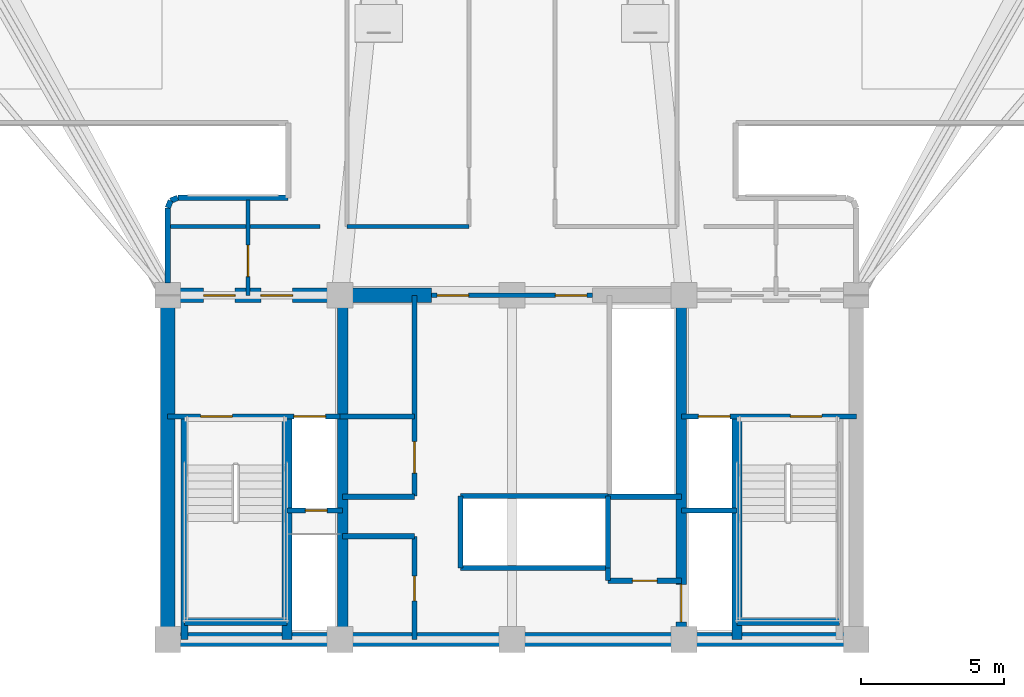
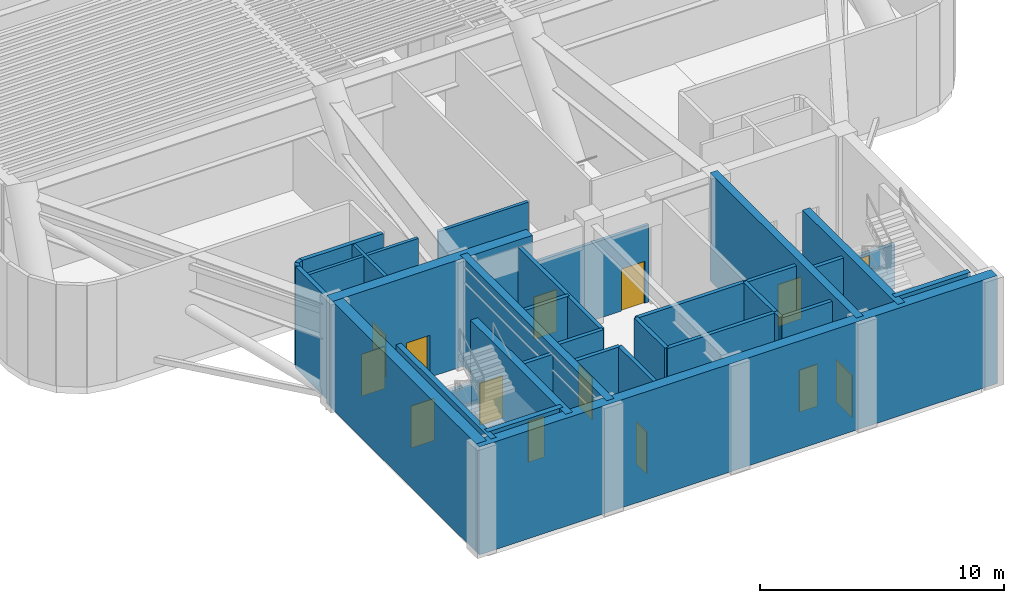
# One storey, part 4 of 10: 34 walls, 14 doors, 14 openings.
"""IFC4 building model written with IfcOpenShell, lengths in metres."""

from ifc_helpers import new_model, si_unit, direction, frame, frame_2d, origin, origin_2d, place, context, subcontext, project, spatial, rectangle, extrude, source, transform, mapped, material, layer, layer_set, type_object, element, fill, save


model = new_model("IFC4")

# Units and contexts
model_context = context("Model", 3, precision=1e-05, world=origin(), true_north=direction((0.0, 1.0)))
body_context = subcontext(model_context, "Body", "Model", "MODEL_VIEW")
ifc_project = project(units=[si_unit("LENGTHUNIT", "METRE"), si_unit("AREAUNIT", "SQUARE_METRE"), si_unit("VOLUMEUNIT", "CUBIC_METRE"), si_unit("PLANEANGLEUNIT", "RADIAN"), si_unit("MASSUNIT", "GRAM", prefix="KILO")], contexts=[model_context])

# Site, building, storey
site_placement = place(None, origin())
site = spatial("IfcSite", under=ifc_project, at=site_placement, CompositionType="ELEMENT")
building_placement = place(site_placement, origin())
building = spatial("IfcBuilding", under=site, at=building_placement, Name="Brelvock Crest Care Tower", CompositionType="ELEMENT")
storey_placement = place(building_placement, frame((0.0, 0.0, 146.52001953125)))
storey = spatial("IfcBuildingStorey", under=building, at=storey_placement, Name="L37", CompositionType="ELEMENT", Elevation=146.52001953125)

# Walls
ifc_material_1 = material(Name="Concrete S80 (80 MPa)", Category="concrete")
ifc_layer_1 = layer(ifc_material_1, 0.5, Name="WL-CS2")
ifc_layer_set_1 = layer_set([ifc_layer_1], Name="Concrete S80 (80 MPa)")
wall_type_1 = type_object("IfcWallType", Name="WL-CS2", PredefinedType="SHEAR", material=ifc_layer_set_1)
wall_1_placement = place(storey_placement, frame((48.25, 6.0, 0.0), z_axis=(0.0, 0.0, 1.0), x_axis=(-1.0, 0.0, 0.0)))
element("IfcWall", 1, at=wall_1_placement, inside=storey, type_object=wall_type_1, Name="L37 Core South Shear Wall", PredefinedType="SHEAR", context=body_context, shape_type="SweptSolid", body=[
    extrude(rectangle(XDim=24.5, YDim=0.5, at=frame_2d((12.25, 0.0))), origin(), (0.0, 0.0, 1.0), 5.39990234375),
])
wall_2_placement = place(storey_placement, frame((24.0, 6.0, 0.0), z_axis=(0.0, 0.0, 1.0), x_axis=(0.0, 1.0, 0.0)))
element("IfcWall", 2, at=wall_2_placement, inside=storey, type_object=wall_type_1, Name="L37 Core West Shear Wall", PredefinedType="SHEAR", context=body_context, shape_type="SweptSolid", body=[
    extrude(rectangle(XDim=12.0, YDim=0.5, at=frame_2d((6.0, 0.0))), origin(), (0.0, 0.0, 1.0), 5.39990234375),
])

# Wall, openings, doors
wall_3_placement = place(storey_placement, frame((23.75, 18.0, 0.0), z_axis=(0.0, 0.0, 1.0), x_axis=(1.0, 0.0, 0.0)))
wall_3 = element("IfcWall", 3, at=wall_3_placement, inside=storey, type_object=wall_type_1, Name="L37 Core North-West Shear Wall", PredefinedType="SHEAR", context=body_context, shape_type="SweptSolid", body=[
    extrude(rectangle(XDim=9.449951171875, YDim=0.5, at=frame_2d((4.72509765625, 0.0))), origin(), (0.0, 0.0, 1.0), 5.39990234375),
])
opening_1_placement = place(wall_3_placement, frame((1.5, 0.0, 0.0)))
opening_1 = element("IfcOpeningElement", 4, at=opening_1_placement, cuts=wall_3, Name="Opening FD-1", PredefinedType="OPENING", context=body_context, shape_type="SweptSolid", body=[
    extrude(rectangle(XDim=1.10009765625, YDim=2.10009765625, at=origin_2d()), frame((0.550048828125, 0.260009765625, 1.050048828125), z_axis=(0.0, -1.0, 0.0), x_axis=(1.0, 0.0, 0.0)), (0.0, 0.0, 1.0), 0.52001953125),
])
opening_2_placement = place(wall_3_placement, frame((3.5, 0.0, 0.0)))
opening_2 = element("IfcOpeningElement", 5, at=opening_2_placement, cuts=wall_3, Name="Opening FD-1", PredefinedType="OPENING", context=body_context, shape_type="SweptSolid", body=[
    extrude(rectangle(XDim=1.10009765625, YDim=2.10009765625, at=origin_2d()), frame((0.550048828125, 0.260009765625, 1.050048828125), z_axis=(0.0, -1.0, 0.0), x_axis=(1.0, 0.0, 0.0)), (0.0, 0.0, 1.0), 0.52001953125),
])
ifc_material_2 = material(Name="Steel Grade 350", Category="steel")
door_type_1 = type_object("IfcDoorType", Name="DR-FFL1", OperationType="NOTDEFINED", PredefinedType="DOOR", material=ifc_material_2)
shared_shape_1 = source(origin(), body_context, "Body", "SweptSolid", [
    extrude(rectangle(XDim=1.10009765625, YDim=2.10009765625, at=origin_2d()), frame((0.550048828125, 0.02490234375, 1.050048828125), z_axis=(0.0, -1.0, 0.0), x_axis=(1.0, 0.0, 0.0)), (0.0, 0.0, 1.0), 0.050048828125),
])
door_1_placement = place(opening_1_placement, origin())
door_1 = element("IfcDoor", 6, at=door_1_placement, inside=storey, type_object=door_type_1, Name="L37 Firefighting Lobby FFL-1 Refuge Door", OperationType="SINGLE_SWING_LEFT", OverallHeight=2.10009765625, OverallWidth=1.10009765625, PredefinedType="DOOR", context=body_context, shape_type="MappedRepresentation", body=[
    mapped(shared_shape_1, transform((0.0, 0.0, 0.0), x_axis=(1.0, 0.0, 0.0), y_axis=(0.0, 1.0, 0.0), z_axis=(0.0, 0.0, 1.0), scale=1.0)),
])
fill(opening_1, door_1)
door_2_placement = place(opening_2_placement, origin())
door_2 = element("IfcDoor", 7, at=door_2_placement, inside=storey, type_object=door_type_1, Name="L37 Firefighting Lobby FFL-1 Corridor Exit Door", OperationType="SINGLE_SWING_RIGHT", OverallHeight=2.10009765625, OverallWidth=1.10009765625, PredefinedType="DOOR", context=body_context, shape_type="MappedRepresentation", body=[
    mapped(shared_shape_1, transform((0.0, 0.0, 0.0), x_axis=(1.0, 0.0, 0.0), y_axis=(0.0, 1.0, 0.0), z_axis=(0.0, 0.0, 1.0), scale=1.0)),
])
fill(opening_2, door_2)

# Wall
ifc_layer_2 = layer(ifc_material_1, 0.35009765625, Name="WL-CS5")
ifc_layer_set_2 = layer_set([ifc_layer_2], Name="Concrete S80 (80 MPa)")
wall_type_2 = type_object("IfcWallType", Name="WL-CS5", PredefinedType="SHEAR", material=ifc_layer_set_2)
wall_4_placement = place(storey_placement, frame((30.10009765625, 6.0, 0.0), z_axis=(0.0, 0.0, 1.0), x_axis=(0.0, 1.0, 0.0)))
element("IfcWall", 8, at=wall_4_placement, inside=storey, type_object=wall_type_2, Name="L37 Core Internal Web Wall West", PredefinedType="SHEAR", context=body_context, shape_type="SweptSolid", body=[
    extrude(rectangle(XDim=12.0, YDim=0.35009765625, at=frame_2d((6.0, 0.0))), origin(), (0.0, 0.0, 1.0), 5.39990234375),
])

# Wall, opening, door
wall_5_placement = place(storey_placement, frame((41.89990234375, 18.0, 0.0), z_axis=(0.0, 0.0, 1.0), x_axis=(0.0, -1.0, 0.0)))
wall_5 = element("IfcWall", 9, at=wall_5_placement, inside=storey, type_object=wall_type_2, Name="L37 Core Internal Web Wall East", PredefinedType="SHEAR", context=body_context, shape_type="SweptSolid", body=[
    extrude(rectangle(XDim=12.0, YDim=0.35009765625, at=frame_2d((6.0, 0.0))), origin(), (0.0, 0.0, 1.0), 5.39990234375),
])
opening_3_placement = place(wall_5_placement, frame((10.080078125, 0.0, 0.0)))
opening_3 = element("IfcOpeningElement", 10, at=opening_3_placement, cuts=wall_5, Name="Opening LD-S", PredefinedType="OPENING", context=body_context, shape_type="SweptSolid", body=[
    extrude(rectangle(XDim=1.300048828125, YDim=2.10009765625, at=origin_2d()), frame((0.64990234375, 0.18505859375, 1.050048828125), z_axis=(0.0, -1.0, 0.0), x_axis=(1.0, 0.0, 0.0)), (0.0, 0.0, 1.0), 0.3701171875),
])
door_type_2 = type_object("IfcDoorType", Name="DR-LDS1", OperationType="NOTDEFINED", PredefinedType="DOOR", material=ifc_material_2)
shared_shape_2 = source(origin(), body_context, "Body", "SweptSolid", [
    extrude(rectangle(XDim=1.300048828125, YDim=2.10009765625, at=origin_2d()), frame((0.64990234375, 0.02490234375, 1.050048828125), z_axis=(0.0, -1.0, 0.0), x_axis=(1.0, 0.0, 0.0)), (0.0, 0.0, 1.0), 0.050048828125),
])
door_3_placement = place(opening_3_placement, origin())
door_3 = element("IfcDoor", 11, at=door_3_placement, inside=storey, type_object=door_type_2, Name="L37 Clinical Bed Lift SL-1 Landing Door", OperationType="SLIDING_TO_LEFT", OverallHeight=2.10009765625, OverallWidth=1.300048828125, PredefinedType="DOOR", context=body_context, shape_type="MappedRepresentation", body=[
    mapped(shared_shape_2, transform((0.0, 0.0, 0.0), x_axis=(1.0, 0.0, 0.0), y_axis=(0.0, 1.0, 0.0), z_axis=(0.0, 0.0, 1.0), scale=1.0)),
])
fill(opening_3, door_3)

# Walls
for number, where, z_axis, x_axis, name in (
    (12, (28.14990234375, 6.0, 0.0), (0.0, 0.0, 1.0), (0.0, 1.0, 0.0), "L37 Core Stair ST-1 East Shear Wall"),
    (13, (43.85009765625, 6.0, 0.0), (0.0, 0.0, 1.0), (0.0, 1.0, 0.0), "L37 Core Stair ST-2 West Shear Wall"),
):
    element("IfcWall", number, at=place(storey_placement, frame(where, z_axis=z_axis, x_axis=x_axis)), inside=storey, type_object=wall_type_2, Name=name, PredefinedType="SHEAR", context=body_context, shape_type="SweptSolid", body=[
        extrude(rectangle(XDim=7.780029296875, YDim=0.35009765625, at=frame_2d((3.89013671875, 0.0))), origin(), (0.0, 0.0, 1.0), 5.39990234375),
    ])
ifc_layer_3 = layer(ifc_material_1, 0.25, Name="WL-CS6")
ifc_layer_set_3 = layer_set([ifc_layer_3], Name="Concrete S80 (80 MPa)")
wall_type_3 = type_object("IfcWallType", Name="WL-CS6", PredefinedType="SHEAR", material=ifc_layer_set_3)
wall_6_placement = place(storey_placement, frame((24.580078125, 6.0, 0.0), z_axis=(0.0, 0.0, 1.0), x_axis=(0.0, 1.0, 0.0)))
element("IfcWall", 14, at=wall_6_placement, inside=storey, type_object=wall_type_3, Name="L37 Core Stair ST-1 West Shear Wall", PredefinedType="SHEAR", context=body_context, shape_type="SweptSolid", body=[
    extrude(rectangle(XDim=7.780029296875, YDim=0.25, at=frame_2d((3.89013671875, 0.0))), origin(), (0.0, 0.0, 1.0), 5.39990234375),
])
for number, where, z_axis, x_axis, name in (
    (15, (24.580078125, 6.6201171875, 0.0), (0.0, 0.0, 1.0), (1.0, 0.0, 0.0), "L37 Core Stair ST-1 South Shear Wall"),
    (16, (43.85009765625, 6.6201171875, 0.0), (0.0, 0.0, 1.0), (1.0, 0.0, 0.0), "L37 Core Stair ST-2 South Shear Wall"),
):
    element("IfcWall", number, at=place(storey_placement, frame(where, z_axis=z_axis, x_axis=x_axis)), inside=storey, type_object=wall_type_3, Name=name, PredefinedType="SHEAR", context=body_context, shape_type="SweptSolid", body=[
        extrude(rectangle(XDim=3.56982421875, YDim=0.25, at=frame_2d((1.784912109375, 0.0))), origin(), (0.0, 0.0, 1.0), 5.39990234375),
    ])
ifc_material_3 = material(Name="Precast concrete N40 (40 MPa)", Category="concrete")
ifc_layer_4 = layer(ifc_material_3, 0.195068359375, Name="WL-EX3")
ifc_layer_set_4 = layer_set([ifc_layer_4], Name="Precast concrete N40 (40 MPa)")
wall_type_4 = type_object("IfcWallType", Name="WL-EX3", PredefinedType="SOLIDWALL", material=ifc_layer_set_4)
wall_7_placement = place(storey_placement, frame((24.0, 18.429931640625, 0.0), z_axis=(0.0, 0.0, 1.0), x_axis=(0.0, 1.0, 0.0)))
element("IfcWall", 17, at=wall_7_placement, inside=storey, type_object=wall_type_4, Name="L37 Crown and Plant Cladding Wall 07", PredefinedType="SOLIDWALL", context=body_context, shape_type="SweptSolid", body=[
    extrude(rectangle(XDim=2.6201171875, YDim=0.195068359375, at=frame_2d((1.31005859375, 0.0))), origin(), (0.0, 0.0, 1.0), 5.080078125),
])
wall_8_placement = place(storey_placement, frame((24.0, 21.050048828125, 0.0), z_axis=(0.0, 0.0, 1.0), x_axis=(0.382673670509, 0.923883575944, 0.0)))
element("IfcWall", 18, at=wall_8_placement, inside=storey, type_object=wall_type_4, Name="L37 Crown and Plant Cladding Wall 08", PredefinedType="SOLIDWALL", context=body_context, shape_type="SweptSolid", body=[
    extrude(rectangle(XDim=0.26806640625, YDim=0.195068359375, at=frame_2d((0.134033203125, 0.0))), origin(), (0.0, 0.0, 1.0), 5.080078125),
])
wall_9_placement = place(storey_placement, frame((24.1025390625, 21.297607421875, 0.0), z_axis=(0.0, 0.0, 1.0), x_axis=(0.924205486139, 0.381895560841, 0.0)))
element("IfcWall", 19, at=wall_9_placement, inside=storey, type_object=wall_type_4, Name="L37 Crown and Plant Cladding Wall 09", PredefinedType="SOLIDWALL", context=body_context, shape_type="SweptSolid", body=[
    extrude(rectangle(XDim=0.267822265625, YDim=0.195068359375, at=frame_2d((0.1337890625, 0.0))), origin(), (0.0, 0.0, 1.0), 5.080078125),
])
wall_10_placement = place(storey_placement, frame((24.35009765625, 21.39990234375, 0.0), z_axis=(0.0, 0.0, 1.0), x_axis=(1.0, 0.0, 0.0)))
element("IfcWall", 20, at=wall_10_placement, inside=storey, type_object=wall_type_4, Name="L37 Crown and Plant Cladding Wall 10", PredefinedType="SOLIDWALL", context=body_context, shape_type="SweptSolid", body=[
    extrude(rectangle(XDim=3.849853515625, YDim=0.195068359375, at=frame_2d((1.9248046875, 0.0))), origin(), (0.0, 0.0, 1.0), 5.080078125),
])

# Wall, openings, doors
ifc_material_4 = material(Name="Masonry Blockwork Acoustic Partition", Category="masonry")
ifc_layer_5 = layer(ifc_material_4, 0.14990234375, Name="WL-INT1")
ifc_layer_set_5 = layer_set([ifc_layer_5], Name="Masonry Blockwork Acoustic Partition")
wall_type_5 = type_object("IfcWallType", Name="WL-INT1", PredefinedType="PARTITIONING", material=ifc_layer_set_5)
wall_11_placement = place(storey_placement, frame((33.199951171875, 18.0, 0.0), z_axis=(0.0, 0.0, 1.0), x_axis=(1.0, 0.0, 0.0)))
wall_11 = element("IfcWall", 21, at=wall_11_placement, inside=storey, type_object=wall_type_5, Name="L37 Interior Wall WL-CORE-NPORT-L37", PredefinedType="PARTITIONING", context=body_context, shape_type="SweptSolid", body=[
    extrude(rectangle(XDim=5.60009765625, YDim=0.14990234375, at=frame_2d((2.800048828125, 0.0))), origin(), (0.0, 0.0, 1.0), 3.864990234375),
])
opening_4_placement = place(wall_11_placement, frame((0.18994140625, 0.0, 0.0)))
opening_4 = element("IfcOpeningElement", 22, at=opening_4_placement, cuts=wall_11, Name="Opening FD-1", PredefinedType="OPENING", context=body_context, shape_type="SweptSolid", body=[
    extrude(rectangle(XDim=1.10009765625, YDim=2.10009765625, at=origin_2d()), frame((0.550048828125, 0.0849609375, 1.050048828125), z_axis=(0.0, -1.0, 0.0), x_axis=(1.0, 0.0, 0.0)), (0.0, 0.0, 1.0), 0.169921875),
])
opening_5_placement = place(wall_11_placement, frame((4.31005859375, 0.0, 0.0)))
opening_5 = element("IfcOpeningElement", 23, at=opening_5_placement, cuts=wall_11, Name="Opening FD-1", PredefinedType="OPENING", context=body_context, shape_type="SweptSolid", body=[
    extrude(rectangle(XDim=1.10009765625, YDim=2.10009765625, at=origin_2d()), frame((0.550048828125, 0.0849609375, 1.050048828125), z_axis=(0.0, -1.0, 0.0), x_axis=(1.0, 0.0, 0.0)), (0.0, 0.0, 1.0), 0.169921875),
])
door_4_placement = place(opening_4_placement, origin())
door_4 = element("IfcDoor", 24, at=door_4_placement, inside=storey, type_object=door_type_1, Name="L37 Lift Lobby North Smoke Door West", OperationType="SINGLE_SWING_LEFT", OverallHeight=2.10009765625, OverallWidth=1.10009765625, PredefinedType="DOOR", context=body_context, shape_type="MappedRepresentation", body=[
    mapped(shared_shape_1, transform((0.0, 0.0, 0.0), x_axis=(1.0, 0.0, 0.0), y_axis=(0.0, 1.0, 0.0), z_axis=(0.0, 0.0, 1.0), scale=1.0)),
])
fill(opening_4, door_4)
door_5_placement = place(opening_5_placement, origin())
door_5 = element("IfcDoor", 25, at=door_5_placement, inside=storey, type_object=door_type_1, Name="L37 Lift Lobby North Smoke Door East", OperationType="SINGLE_SWING_RIGHT", OverallHeight=2.10009765625, OverallWidth=1.10009765625, PredefinedType="DOOR", context=body_context, shape_type="MappedRepresentation", body=[
    mapped(shared_shape_1, transform((0.0, 0.0, 0.0), x_axis=(1.0, 0.0, 0.0), y_axis=(0.0, 1.0, 0.0), z_axis=(0.0, 0.0, 1.0), scale=1.0)),
])
fill(opening_5, door_5)

# Walls
wall_12_placement = place(storey_placement, frame((24.080078125, 20.39990234375, 0.0), z_axis=(0.0, 0.0, 1.0), x_axis=(1.0, 0.0, 0.0)))
element("IfcWall", 26, at=wall_12_placement, inside=storey, type_object=wall_type_5, Name="L37 Interior Wall WL-BX-L37-REFW-N", PredefinedType="PARTITIONING", context=body_context, shape_type="SweptSolid", body=[
    extrude(rectangle(XDim=5.219970703125, YDim=0.14990234375, at=frame_2d((2.60986328125, 0.0))), origin(), (0.0, 0.0, 1.0), 5.050048828125),
])
wall_13_placement = place(storey_placement, frame((30.25, 20.39990234375, 0.0), z_axis=(0.0, 0.0, 1.0), x_axis=(1.0, 0.0, 0.0)))
element("IfcWall", 27, at=wall_13_placement, inside=storey, type_object=wall_type_5, Name="L37 Interior Wall WL-BX-L37-REFNW-S", PredefinedType="PARTITIONING", context=body_context, shape_type="SweptSolid", body=[
    extrude(rectangle(XDim=4.25, YDim=0.14990234375, at=frame_2d((2.125, 0.0))), origin(), (0.0, 0.0, 1.0), 5.050048828125),
])

# Wall, opening, door
wall_14_placement = place(storey_placement, frame((26.800048828125, 18.0, 0.0), z_axis=(0.0, 0.0, 1.0), x_axis=(0.0, 1.0, 0.0)))
wall_14 = element("IfcWall", 28, at=wall_14_placement, inside=storey, type_object=wall_type_5, Name="L37 Interior Wall WL-RM-L37-REFW", PredefinedType="PARTITIONING", context=body_context, shape_type="SweptSolid", body=[
    extrude(rectangle(XDim=3.320068359375, YDim=0.14990234375, at=frame_2d((1.66015625, 0.0))), origin(), (0.0, 0.0, 1.0), 5.050048828125),
])
opening_6_placement = place(wall_14_placement, frame((0.64990234375, 0.0, 0.0)))
opening_6 = element("IfcOpeningElement", 29, at=opening_6_placement, cuts=wall_14, Name="Opening PD-1", PredefinedType="OPENING", context=body_context, shape_type="SweptSolid", body=[
    extrude(rectangle(XDim=1.10009765625, YDim=2.10009765625, at=origin_2d()), frame((0.550048828125, 0.0849609375, 1.050048828125), z_axis=(0.0, -1.0, 0.0), x_axis=(1.0, 0.0, 0.0)), (0.0, 0.0, 1.0), 0.169921875),
])
door_type_3 = type_object("IfcDoorType", Name="DR-PLT1", OperationType="NOTDEFINED", PredefinedType="DOOR", material=ifc_material_2)
shared_shape_3 = source(origin(), body_context, "Body", "SweptSolid", [
    extrude(rectangle(XDim=1.10009765625, YDim=2.10009765625, at=origin_2d()), frame((0.550048828125, 0.02490234375, 1.050048828125), z_axis=(0.0, -1.0, 0.0), x_axis=(1.0, 0.0, 0.0)), (0.0, 0.0, 1.0), 0.050048828125),
])
door_6_placement = place(opening_6_placement, origin())
door_6 = element("IfcDoor", 30, at=door_6_placement, inside=storey, type_object=door_type_3, Name="L37 Protected Fire Refuge Area West REFW Door REFW", OperationType="SINGLE_SWING_LEFT", OverallHeight=2.10009765625, OverallWidth=1.10009765625, PredefinedType="DOOR", context=body_context, shape_type="MappedRepresentation", body=[
    mapped(shared_shape_3, transform((0.0, 0.0, 0.0), x_axis=(1.0, 0.0, 0.0), y_axis=(0.0, 1.0, 0.0), z_axis=(0.0, 0.0, 1.0), scale=1.0)),
])
fill(opening_6, door_6)

# Wall
ifc_layer_6 = layer(ifc_material_4, 0.179931640625, Name="WL-SHF1")
ifc_layer_set_6 = layer_set([ifc_layer_6], Name="Masonry Blockwork Acoustic Partition")
wall_type_6 = type_object("IfcWallType", Name="WL-SHF1", PredefinedType="PARTITIONING", material=ifc_layer_set_6)
wall_15_placement = place(storey_placement, frame((30.0, 13.780029296875, 0.0), z_axis=(0.0, 0.0, 1.0), x_axis=(1.0, 0.0, 0.0)))
element("IfcWall", 31, at=wall_15_placement, inside=storey, type_object=wall_type_6, Name="L37 Interior Wall WL-CRCL-N-L37", PredefinedType="PARTITIONING", context=body_context, shape_type="SweptSolid", body=[
    extrude(rectangle(XDim=2.60009765625, YDim=0.179931640625, at=frame_2d((1.300048828125, 0.0))), origin(), (0.0, 0.0, 1.0), 5.050048828125),
])

# Wall, opening, door
wall_16_placement = place(storey_placement, frame((32.60009765625, 11.0, 0.0), z_axis=(0.0, 0.0, 1.0), x_axis=(0.0, 1.0, 0.0)))
wall_16 = element("IfcWall", 32, at=wall_16_placement, inside=storey, type_object=wall_type_6, Name="L37 Interior Wall WL-CRCL-E-L37", PredefinedType="PARTITIONING", context=body_context, shape_type="SweptSolid", body=[
    extrude(rectangle(XDim=7.0, YDim=0.179931640625, at=frame_2d((3.5, 0.0))), origin(), (0.0, 0.0, 1.0), 5.050048828125),
])
opening_7_placement = place(wall_16_placement, frame((0.800048828125, 0.0, 0.0)))
opening_7 = element("IfcOpeningElement", 33, at=opening_7_placement, cuts=wall_16, Name="Opening PD-1", PredefinedType="OPENING", context=body_context, shape_type="SweptSolid", body=[
    extrude(rectangle(XDim=1.10009765625, YDim=2.10009765625, at=origin_2d()), frame((0.550048828125, 0.10009765625, 1.050048828125), z_axis=(0.0, -1.0, 0.0), x_axis=(1.0, 0.0, 0.0)), (0.0, 0.0, 1.0), 0.199951171875),
])
door_7_placement = place(opening_7_placement, origin())
door_7 = element("IfcDoor", 34, at=door_7_placement, inside=storey, type_object=door_type_3, Name="DR-CRCL1-L37", OperationType="SINGLE_SWING_LEFT", OverallHeight=2.10009765625, OverallWidth=1.10009765625, PredefinedType="DOOR", context=body_context, shape_type="MappedRepresentation", body=[
    mapped(shared_shape_3, transform((0.0, 0.0, 0.0), x_axis=(1.0, 0.0, 0.0), y_axis=(0.0, 1.0, 0.0), z_axis=(0.0, 0.0, 1.0), scale=1.0)),
])
fill(opening_7, door_7)

# Walls
for number, where, z_axis, x_axis, name in (
    (35, (34.199951171875, 11.0, 0.0), (0.0, 0.0, 1.0), (1.0, 0.0, 0.0), "L37 Interior Wall WL-PLM-SHF-L37"),
    (36, (34.199951171875, 8.5, 0.0), (0.0, 0.0, 1.0), (1.0, 0.0, 0.0), "L37 Interior Wall WL-PLM-S-L37"),
):
    element("IfcWall", number, at=place(storey_placement, frame(where, z_axis=z_axis, x_axis=x_axis)), inside=storey, type_object=wall_type_6, Name=name, PredefinedType="PARTITIONING", context=body_context, shape_type="SweptSolid", body=[
        extrude(rectangle(XDim=5.150146484375, YDim=0.179931640625, at=frame_2d((2.5751953125, 0.0))), origin(), (0.0, 0.0, 1.0), 5.050048828125),
    ])
for number, where, z_axis, x_axis, name in (
    (37, (34.199951171875, 8.5, 0.0), (0.0, 0.0, 1.0), (0.0, 1.0, 0.0), "L37 Interior Wall WL-PLM-W-L37"),
    (38, (39.35009765625, 8.5, 0.0), (0.0, 0.0, 1.0), (0.0, 1.0, 0.0), "L37 Interior Wall WL-PLM-E-L37"),
    (39, (30.10009765625, 10.97998046875, 0.0), (0.0, 0.0, 1.0), (1.0, 0.0, 0.0), "L37 Interior Wall WL-CSBW-N-L37"),
    (40, (30.10009765625, 9.60009765625, 0.0), (0.0, 0.0, 1.0), (1.0, 0.0, 0.0), "L37 Interior Wall WL-CSBW-S1-L37"),
):
    element("IfcWall", number, at=place(storey_placement, frame(where, z_axis=z_axis, x_axis=x_axis)), inside=storey, type_object=wall_type_6, Name=name, PredefinedType="PARTITIONING", context=body_context, shape_type="SweptSolid", body=[
        extrude(rectangle(XDim=2.5, YDim=0.179931640625, at=frame_2d((1.25, 0.0))), origin(), (0.0, 0.0, 1.0), 5.050048828125),
    ])

# Wall, opening, door
wall_17_placement = place(storey_placement, frame((32.60009765625, 6.0, 0.0), z_axis=(0.0, 0.0, 1.0), x_axis=(0.0, 1.0, 0.0)))
wall_17 = element("IfcWall", 41, at=wall_17_placement, inside=storey, type_object=wall_type_6, Name="L37 Interior Wall WL-CSBW-E-L37", PredefinedType="PARTITIONING", context=body_context, shape_type="SweptSolid", body=[
    extrude(rectangle(XDim=3.60009765625, YDim=0.179931640625, at=frame_2d((1.800048828125, 0.0))), origin(), (0.0, 0.0, 1.0), 5.050048828125),
])
opening_8_placement = place(wall_17_placement, frame((1.35009765625, 0.0, 0.0)))
opening_8 = element("IfcOpeningElement", 42, at=opening_8_placement, cuts=wall_17, Name="Opening ID-1", PredefinedType="OPENING", context=body_context, shape_type="SweptSolid", body=[
    extrude(rectangle(XDim=0.860107421875, YDim=2.10009765625, at=origin_2d()), frame((0.43017578125, 0.10009765625, 1.050048828125), z_axis=(0.0, -1.0, 0.0), x_axis=(1.0, 0.0, 0.0)), (0.0, 0.0, 1.0), 0.199951171875),
])
ifc_material_5 = material(Name="Engineered Hardwood Timber", Category="wood")
door_type_4 = type_object("IfcDoorType", Name="DR-INT1", OperationType="NOTDEFINED", PredefinedType="DOOR", material=ifc_material_5)
shared_shape_4 = source(origin(), body_context, "Body", "SweptSolid", [
    extrude(rectangle(XDim=0.860107421875, YDim=2.10009765625, at=origin_2d()), frame((0.43017578125, 0.02490234375, 1.050048828125), z_axis=(0.0, -1.0, 0.0), x_axis=(1.0, 0.0, 0.0)), (0.0, 0.0, 1.0), 0.050048828125),
])
door_8_placement = place(opening_8_placement, origin())
door_8 = element("IfcDoor", 43, at=door_8_placement, inside=storey, type_object=door_type_4, Name="DR-CSBW-L37", OperationType="SINGLE_SWING_LEFT", OverallHeight=2.10009765625, OverallWidth=0.860107421875, PredefinedType="DOOR", context=body_context, shape_type="MappedRepresentation", body=[
    mapped(shared_shape_4, transform((0.0, 0.0, 0.0), x_axis=(1.0, 0.0, 0.0), y_axis=(0.0, 1.0, 0.0), z_axis=(0.0, 0.0, 1.0), scale=1.0)),
])
fill(opening_8, door_8)

# Walls
wall_18_placement = place(storey_placement, frame((39.35009765625, 10.97998046875, 0.0), z_axis=(0.0, 0.0, 1.0), x_axis=(1.0, 0.0, 0.0)))
element("IfcWall", 44, at=wall_18_placement, inside=storey, type_object=wall_type_6, Name="L37 Interior Wall WL-CSBE-N-L37", PredefinedType="PARTITIONING", context=body_context, shape_type="SweptSolid", body=[
    extrude(rectangle(XDim=2.5498046875, YDim=0.179931640625, at=frame_2d((1.27490234375, 0.0))), origin(), (0.0, 0.0, 1.0), 5.050048828125),
])
wall_19_placement = place(storey_placement, frame((39.35009765625, 8.050048828125, 0.0), z_axis=(0.0, 0.0, 1.0), x_axis=(0.0, 1.0, 0.0)))
element("IfcWall", 45, at=wall_19_placement, inside=storey, type_object=wall_type_6, Name="L37 Interior Wall WL-CSBE-W-L37", PredefinedType="PARTITIONING", context=body_context, shape_type="SweptSolid", body=[
    extrude(rectangle(XDim=0.449951171875, YDim=0.179931640625, at=frame_2d((0.22509765625, 0.0))), origin(), (0.0, 0.0, 1.0), 5.050048828125),
])

# Wall, opening, door
wall_20_placement = place(storey_placement, frame((39.35009765625, 8.050048828125, 0.0), z_axis=(0.0, 0.0, 1.0), x_axis=(1.0, 0.0, 0.0)))
wall_20 = element("IfcWall", 46, at=wall_20_placement, inside=storey, type_object=wall_type_6, Name="L37 Interior Wall WL-CSBE-S-L37", PredefinedType="PARTITIONING", context=body_context, shape_type="SweptSolid", body=[
    extrude(rectangle(XDim=2.5498046875, YDim=0.179931640625, at=frame_2d((1.27490234375, 0.0))), origin(), (0.0, 0.0, 1.0), 5.050048828125),
])
opening_9_placement = place(wall_20_placement, frame((0.85009765625, 0.0, 0.0)))
opening_9 = element("IfcOpeningElement", 47, at=opening_9_placement, cuts=wall_20, Name="Opening ID-1", PredefinedType="OPENING", context=body_context, shape_type="SweptSolid", body=[
    extrude(rectangle(XDim=0.860107421875, YDim=2.10009765625, at=origin_2d()), frame((0.43017578125, 0.10009765625, 1.050048828125), z_axis=(0.0, -1.0, 0.0), x_axis=(1.0, 0.0, 0.0)), (0.0, 0.0, 1.0), 0.199951171875),
])
door_9_placement = place(opening_9_placement, origin())
door_9 = element("IfcDoor", 48, at=door_9_placement, inside=storey, type_object=door_type_4, Name="DR-CSBE-L37", OperationType="SINGLE_SWING_LEFT", OverallHeight=2.10009765625, OverallWidth=0.860107421875, PredefinedType="DOOR", context=body_context, shape_type="MappedRepresentation", body=[
    mapped(shared_shape_4, transform((0.0, 0.0, 0.0), x_axis=(1.0, 0.0, 0.0), y_axis=(0.0, 1.0, 0.0), z_axis=(0.0, 0.0, 1.0), scale=1.0)),
])
fill(opening_9, door_9)

# Wall, openings, doors
wall_21_placement = place(storey_placement, frame((24.0, 13.780029296875, 0.0), z_axis=(0.0, 0.0, 1.0), x_axis=(1.0, 0.0, 0.0)))
wall_21 = element("IfcWall", 49, at=wall_21_placement, inside=storey, type_object=wall_type_6, Name="L37 Interior Wall WL-ST1-N-L37", PredefinedType="PARTITIONING", context=body_context, shape_type="SweptSolid", body=[
    extrude(rectangle(XDim=6.10009765625, YDim=0.179931640625, at=frame_2d((3.050048828125, 0.0))), origin(), (0.0, 0.0, 1.0), 2.22900390625),
])
opening_10_placement = place(wall_21_placement, frame((1.14990234375, 0.0, 0.0)))
opening_10 = element("IfcOpeningElement", 50, at=opening_10_placement, cuts=wall_21, Name="Opening SD-1", PredefinedType="OPENING", context=body_context, shape_type="SweptSolid", body=[
    extrude(rectangle(XDim=1.10009765625, YDim=2.10009765625, at=origin_2d()), frame((0.550048828125, 0.10009765625, 1.050048828125), z_axis=(0.0, -1.0, 0.0), x_axis=(1.0, 0.0, 0.0)), (0.0, 0.0, 1.0), 0.199951171875),
])
opening_11_placement = place(wall_21_placement, frame((4.39990234375, 0.0, 0.0)))
opening_11 = element("IfcOpeningElement", 51, at=opening_11_placement, cuts=wall_21, Name="Opening LD", PredefinedType="OPENING", context=body_context, shape_type="SweptSolid", body=[
    extrude(rectangle(XDim=1.10009765625, YDim=2.10009765625, at=origin_2d()), frame((0.550048828125, 0.10009765625, 1.050048828125), z_axis=(0.0, -1.0, 0.0), x_axis=(1.0, 0.0, 0.0)), (0.0, 0.0, 1.0), 0.199951171875),
])
door_type_5 = type_object("IfcDoorType", Name="DR-ST1", OperationType="NOTDEFINED", PredefinedType="DOOR", material=ifc_material_2)
shared_shape_5 = source(origin(), body_context, "Body", "SweptSolid", [
    extrude(rectangle(XDim=1.10009765625, YDim=2.10009765625, at=origin_2d()), frame((0.550048828125, 0.02490234375, 1.050048828125), z_axis=(0.0, -1.0, 0.0), x_axis=(1.0, 0.0, 0.0)), (0.0, 0.0, 1.0), 0.050048828125),
])
door_10_placement = place(opening_10_placement, origin())
door_10 = element("IfcDoor", 52, at=door_10_placement, inside=storey, type_object=door_type_5, Name="L37 Fire Stair ST-1 Door", OperationType="SINGLE_SWING_LEFT", OverallHeight=2.10009765625, OverallWidth=1.10009765625, PredefinedType="DOOR", context=body_context, shape_type="MappedRepresentation", body=[
    mapped(shared_shape_5, transform((0.0, 0.0, 0.0), x_axis=(1.0, 0.0, 0.0), y_axis=(0.0, 1.0, 0.0), z_axis=(0.0, 0.0, 1.0), scale=1.0)),
])
fill(opening_10, door_10)
door_type_6 = type_object("IfcDoorType", Name="DR-LD1", OperationType="NOTDEFINED", PredefinedType="DOOR", material=ifc_material_2)
shared_shape_6 = source(origin(), body_context, "Body", "SweptSolid", [
    extrude(rectangle(XDim=1.10009765625, YDim=2.10009765625, at=origin_2d()), frame((0.550048828125, 0.02490234375, 1.050048828125), z_axis=(0.0, -1.0, 0.0), x_axis=(1.0, 0.0, 0.0)), (0.0, 0.0, 1.0), 0.050048828125),
])
door_11_placement = place(opening_11_placement, origin())
door_11 = element("IfcDoor", 53, at=door_11_placement, inside=storey, type_object=door_type_6, Name="L37 Firefighting Lift FFL-1 Landing Door", OperationType="SLIDING_TO_LEFT", OverallHeight=2.10009765625, OverallWidth=1.10009765625, PredefinedType="DOOR", context=body_context, shape_type="MappedRepresentation", body=[
    mapped(shared_shape_6, transform((0.0, 0.0, 0.0), x_axis=(1.0, 0.0, 0.0), y_axis=(0.0, 1.0, 0.0), z_axis=(0.0, 0.0, 1.0), scale=1.0)),
])
fill(opening_11, door_11)

# Wall, opening, door
wall_22_placement = place(storey_placement, frame((28.14990234375, 10.5, 0.0), z_axis=(0.0, 0.0, 1.0), x_axis=(1.0, 0.0, 0.0)))
wall_22 = element("IfcWall", 54, at=wall_22_placement, inside=storey, type_object=wall_type_6, Name="L37 Interior Wall WL-FFH1-S-L37", PredefinedType="PARTITIONING", context=body_context, shape_type="SweptSolid", body=[
    extrude(rectangle(XDim=1.9501953125, YDim=0.179931640625, at=frame_2d((0.97509765625, 0.0))), origin(), (0.0, 0.0, 1.0), 5.050048828125),
])
opening_12_placement = place(wall_22_placement, frame((0.64990234375, 0.0, 0.0)))
opening_12 = element("IfcOpeningElement", 55, at=opening_12_placement, cuts=wall_22, Name="Opening RD-1", PredefinedType="OPENING", context=body_context, shape_type="SweptSolid", body=[
    extrude(rectangle(XDim=0.760009765625, YDim=2.050048828125, at=origin_2d()), frame((0.3798828125, 0.10009765625, 1.02490234375), z_axis=(0.0, -1.0, 0.0), x_axis=(1.0, 0.0, 0.0)), (0.0, 0.0, 1.0), 0.199951171875),
])
door_type_7 = type_object("IfcDoorType", Name="DR-RIS1", OperationType="NOTDEFINED", PredefinedType="DOOR", material=ifc_material_2)
shared_shape_7 = source(origin(), body_context, "Body", "SweptSolid", [
    extrude(rectangle(XDim=0.760009765625, YDim=2.050048828125, at=origin_2d()), frame((0.3798828125, 0.02490234375, 1.02490234375), z_axis=(0.0, -1.0, 0.0), x_axis=(1.0, 0.0, 0.0)), (0.0, 0.0, 1.0), 0.050048828125),
])
door_12_placement = place(opening_12_placement, origin())
door_12 = element("IfcDoor", 56, at=door_12_placement, inside=storey, type_object=door_type_7, Name="L37 Wet Fire Riser Access Door", OperationType="SINGLE_SWING_LEFT", OverallHeight=2.050048828125, OverallWidth=0.760009765625, PredefinedType="DOOR", context=body_context, shape_type="MappedRepresentation", body=[
    mapped(shared_shape_7, transform((0.0, 0.0, 0.0), x_axis=(1.0, 0.0, 0.0), y_axis=(0.0, 1.0, 0.0), z_axis=(0.0, 0.0, 1.0), scale=1.0)),
])
fill(opening_12, door_12)

# Wall, openings, doors
wall_23_placement = place(storey_placement, frame((41.89990234375, 13.780029296875, 0.0), z_axis=(0.0, 0.0, 1.0), x_axis=(1.0, 0.0, 0.0)))
wall_23 = element("IfcWall", 57, at=wall_23_placement, inside=storey, type_object=wall_type_6, Name="L37 Interior Wall WL-ST2-N-L37", PredefinedType="PARTITIONING", context=body_context, shape_type="SweptSolid", body=[
    extrude(rectangle(XDim=6.10009765625, YDim=0.179931640625, at=frame_2d((3.050048828125, 0.0))), origin(), (0.0, 0.0, 1.0), 2.22900390625),
])
opening_13_placement = place(wall_23_placement, frame((0.60009765625, 0.0, 0.0)))
opening_13 = element("IfcOpeningElement", 58, at=opening_13_placement, cuts=wall_23, Name="Opening LD", PredefinedType="OPENING", context=body_context, shape_type="SweptSolid", body=[
    extrude(rectangle(XDim=1.10009765625, YDim=2.10009765625, at=origin_2d()), frame((0.550048828125, 0.10009765625, 1.050048828125), z_axis=(0.0, -1.0, 0.0), x_axis=(1.0, 0.0, 0.0)), (0.0, 0.0, 1.0), 0.199951171875),
])
opening_14_placement = place(wall_23_placement, frame((3.800048828125, 0.0, 0.0)))
opening_14 = element("IfcOpeningElement", 59, at=opening_14_placement, cuts=wall_23, Name="Opening SD-1", PredefinedType="OPENING", context=body_context, shape_type="SweptSolid", body=[
    extrude(rectangle(XDim=1.10009765625, YDim=2.10009765625, at=origin_2d()), frame((0.550048828125, 0.10009765625, 1.050048828125), z_axis=(0.0, -1.0, 0.0), x_axis=(1.0, 0.0, 0.0)), (0.0, 0.0, 1.0), 0.199951171875),
])
door_13_placement = place(opening_14_placement, origin())
door_13 = element("IfcDoor", 60, at=door_13_placement, inside=storey, type_object=door_type_5, Name="L37 Fire Stair ST-2 Door", OperationType="SINGLE_SWING_RIGHT", OverallHeight=2.10009765625, OverallWidth=1.10009765625, PredefinedType="DOOR", context=body_context, shape_type="MappedRepresentation", body=[
    mapped(shared_shape_5, transform((0.0, 0.0, 0.0), x_axis=(1.0, 0.0, 0.0), y_axis=(0.0, 1.0, 0.0), z_axis=(0.0, 0.0, 1.0), scale=1.0)),
])
fill(opening_14, door_13)
door_14_placement = place(opening_13_placement, origin())
door_14 = element("IfcDoor", 61, at=door_14_placement, inside=storey, type_object=door_type_6, Name="L37 Firefighting Lift FFL-2 Landing Door", OperationType="SLIDING_TO_RIGHT", OverallHeight=2.10009765625, OverallWidth=1.10009765625, PredefinedType="DOOR", context=body_context, shape_type="MappedRepresentation", body=[
    mapped(shared_shape_6, transform((0.0, 0.0, 0.0), x_axis=(1.0, 0.0, 0.0), y_axis=(0.0, 1.0, 0.0), z_axis=(0.0, 0.0, 1.0), scale=1.0)),
])
fill(opening_13, door_14)

# Wall
wall_24_placement = place(storey_placement, frame((41.89990234375, 10.5, 0.0), z_axis=(0.0, 0.0, 1.0), x_axis=(1.0, 0.0, 0.0)))
element("IfcWall", 62, at=wall_24_placement, inside=storey, type_object=wall_type_6, Name="L37 Interior Wall WL-FFH2-S-L37", PredefinedType="PARTITIONING", context=body_context, shape_type="SweptSolid", body=[
    extrude(rectangle(XDim=1.9501953125, YDim=0.179931640625, at=frame_2d((0.97509765625, 0.0))), origin(), (0.0, 0.0, 1.0), 5.050048828125),
])

save(model, "model.ifc")
